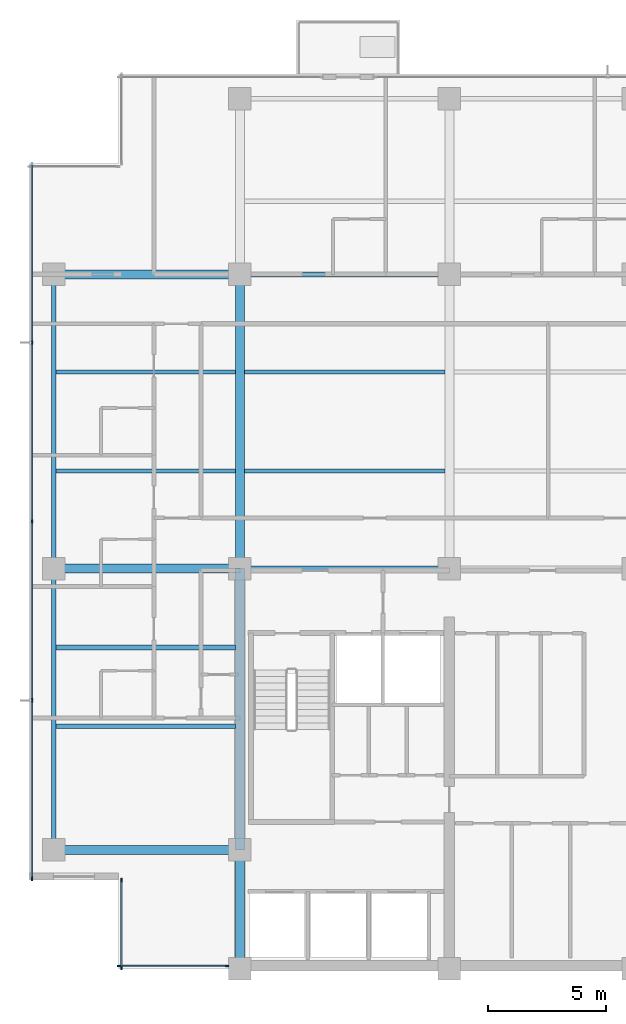
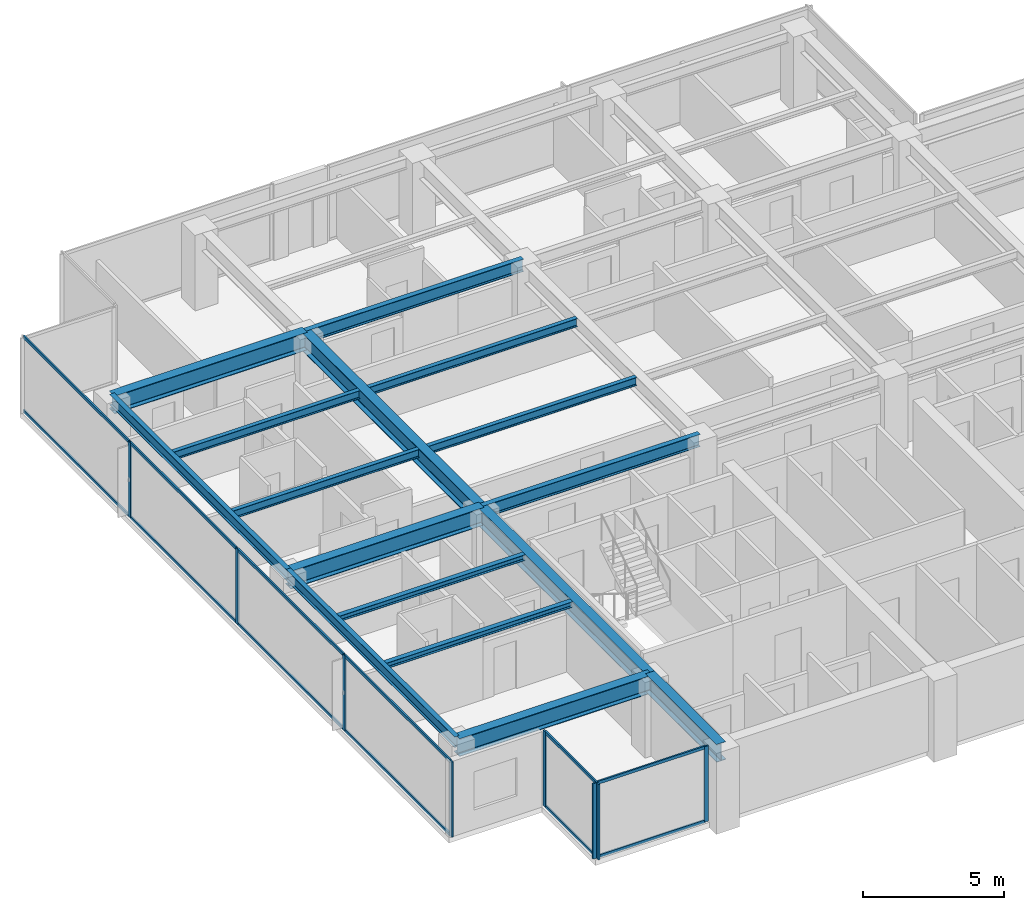
# One storey, part 2 of 14: 20 members, 16 beams, 3 elements without a shape of their own.
"""IFC4 building model written with IfcOpenShell, lengths in metres."""

from ifc_helpers import new_model, si_unit, direction, frame, origin, origin_2d, place, context, subcontext, project, spatial, rectangle, i_section, extrude, material, layer, layer_set, material_profile, profile_set, type_object, element, aggregate, save


model = new_model("IFC4")

# Units and contexts
model_context = context("Model", 3, precision=1e-05, world=origin(), true_north=direction((0.0, 1.0)))
body_context = subcontext(model_context, "Body", "Model", "MODEL_VIEW")
ifc_project = project(units=[si_unit("LENGTHUNIT", "METRE"), si_unit("AREAUNIT", "SQUARE_METRE"), si_unit("VOLUMEUNIT", "CUBIC_METRE"), si_unit("PLANEANGLEUNIT", "RADIAN"), si_unit("MASSUNIT", "GRAM", prefix="KILO")], contexts=[model_context])

# Site, building, storey
site_placement = place(None, origin())
site = spatial("IfcSite", under=ifc_project, at=site_placement, CompositionType="ELEMENT")
building_placement = place(site_placement, origin())
building = spatial("IfcBuilding", under=site, at=building_placement, Name="Qalmaran Belvedere Hotel", CompositionType="ELEMENT")
storey_placement = place(building_placement, frame((0.0, 0.0, 200.39990234375)))
storey = spatial("IfcBuildingStorey", under=building, at=storey_placement, Name="L50", CompositionType="ELEMENT", Elevation=200.39990234375)

# Beams
ifc_material_1 = material(Name="Steel S355JR", Category="steel")
ifc_material_profile_1 = material_profile(ifc_material_1, i_section(OverallWidth=0.201904296875, OverallDepth=0.2470703125, WebThickness=0.00732421875, FlangeThickness=0.010986328125, FilletRadius=0.011962890625, at=origin_2d()), Name="W250X49")
ifc_profile_set_1 = profile_set([ifc_material_profile_1], Name="Steel S355JR")
beam_type_1 = type_object("IfcBeamType", Name="BM-JST-W250X49", PredefinedType="JOIST", material=ifc_profile_set_1)
for number, where, z_axis, x_axis, name in (
    (1, (12.493896484375, 13.800048828125, 3.13671875), (1.0, 0.0, 0.0), (0.0, 1.0, 0.0), "L50 West Wing Joist 038"),
    (2, (12.493896484375, 17.14990234375, 3.13671875), (1.0, 0.0, 0.0), (0.0, 1.0, 0.0), "L50 West Wing Joist 040"),
):
    element("IfcBeam", number, at=place(storey_placement, frame(where, z_axis=z_axis, x_axis=x_axis)), inside=storey, type_object=beam_type_1, Name=name, PredefinedType="JOIST", context=body_context, shape_type="SweptSolid", body=[
        extrude(i_section(OverallWidth=0.201904296875, OverallDepth=0.2470703125, WebThickness=0.00732421875, FlangeThickness=0.010986328125, FilletRadius=0.011962890625, at=origin_2d()), origin(), (0.0, 0.0, 1.0), 7.61767578125),
    ])
ifc_material_profile_2 = material_profile(ifc_material_1, i_section(OverallWidth=0.381103515625, OverallDepth=0.77294921875, WebThickness=0.0166015625, FlangeThickness=0.027099609375, FilletRadius=0.02197265625, at=origin_2d()), Name="W760X257")
ifc_profile_set_2 = profile_set([ifc_material_profile_2], Name="Steel S355JR")
beam_type_2 = type_object("IfcBeamType", Name="BM-PG4-W760X257", PredefinedType="USERDEFINED", material=ifc_profile_set_2)
beam_1_placement = place(storey_placement, frame((20.300048828125, 20.5, 2.87353515625), z_axis=(0.0, 1.0, 0.0), x_axis=(-1.0, 0.0, 0.0)))
element("IfcBeam", 3, at=beam_1_placement, inside=storey, type_object=beam_type_2, Name="L50 Mid-Plate N-S Girder 14", ObjectType="GIRDER", PredefinedType="USERDEFINED", context=body_context, shape_type="SweptSolid", body=[
    extrude(i_section(OverallWidth=0.381103515625, OverallDepth=0.77294921875, WebThickness=0.0166015625, FlangeThickness=0.027099609375, FilletRadius=0.02197265625, at=origin_2d()), origin(), (0.0, 0.0, 1.0), 12.5),
])
for number, where, z_axis, x_axis, name in (
    (4, (12.39990234375, 8.550048828125, 2.87353515625), (1.0, 0.0, 0.0), (0.0, 1.0, 0.0), "L50 West Wing Girder 22"),
    (5, (12.39990234375, 20.5, 2.87353515625), (1.0, 0.0, 0.0), (0.0, 1.0, 0.0), "L50 West Wing Girder 23"),
    (6, (12.39990234375, 33.0, 2.87353515625), (1.0, 0.0, 0.0), (0.0, 1.0, 0.0), "L50 West Wing Girder 24"),
):
    element("IfcBeam", number, at=place(storey_placement, frame(where, z_axis=z_axis, x_axis=x_axis)), inside=storey, type_object=beam_type_2, Name=name, ObjectType="GIRDER", PredefinedType="USERDEFINED", context=body_context, shape_type="SweptSolid", body=[
        extrude(i_section(OverallWidth=0.381103515625, OverallDepth=0.77294921875, WebThickness=0.0166015625, FlangeThickness=0.027099609375, FilletRadius=0.02197265625, at=origin_2d()), origin(), (0.0, 0.0, 1.0), 7.900146484375),
    ])
beam_2_placement = place(storey_placement, frame((20.300048828125, 3.5, 2.87353515625), z_axis=(0.0, 1.0, 0.0), x_axis=(-1.0, 0.0, 0.0)))
element("IfcBeam", 7, at=beam_2_placement, inside=storey, type_object=beam_type_2, Name="L50 West Core Edge Girder A", ObjectType="GIRDER", PredefinedType="USERDEFINED", context=body_context, shape_type="SweptSolid", body=[
    extrude(i_section(OverallWidth=0.381103515625, OverallDepth=0.77294921875, WebThickness=0.0166015625, FlangeThickness=0.027099609375, FilletRadius=0.02197265625, at=origin_2d()), origin(), (0.0, 0.0, 1.0), 5.050048828125),
])
beam_3_placement = place(storey_placement, frame((20.300048828125, 8.550048828125, 2.87353515625), z_axis=(0.0, 1.0, 0.0), x_axis=(-1.0, 0.0, 0.0)))
element("IfcBeam", 8, at=beam_3_placement, inside=storey, type_object=beam_type_2, Name="L50 West Core Edge Girder B", ObjectType="GIRDER", PredefinedType="USERDEFINED", context=body_context, shape_type="SweptSolid", body=[
    extrude(i_section(OverallWidth=0.381103515625, OverallDepth=0.77294921875, WebThickness=0.0166015625, FlangeThickness=0.027099609375, FilletRadius=0.02197265625, at=origin_2d()), origin(), (0.0, 0.0, 1.0), 11.949951171875),
])
ifc_material_profile_3 = material_profile(ifc_material_1, i_section(OverallWidth=0.172119140625, OverallDepth=0.35791015625, WebThickness=0.0078125, FlangeThickness=0.01318359375, FilletRadius=0.014892578125, at=origin_2d()), Name="W360X57")
ifc_profile_set_3 = profile_set([ifc_material_profile_3], Name="Steel S355JR")
beam_type_3 = type_object("IfcBeamType", Name="BM-SB4-W360X57", PredefinedType="BEAM", material=ifc_profile_set_3)
beam_4_placement = place(storey_placement, frame((12.493896484375, 24.64990234375, 3.0810546875), z_axis=(1.0, 0.0, 0.0), x_axis=(0.0, 1.0, 0.0)))
element("IfcBeam", 9, at=beam_4_placement, inside=storey, type_object=beam_type_3, Name="L50 West Secondary Beam 028", PredefinedType="BEAM", context=body_context, shape_type="SweptSolid", body=[
    extrude(i_section(OverallWidth=0.172119140625, OverallDepth=0.35791015625, WebThickness=0.0078125, FlangeThickness=0.01318359375, FilletRadius=0.014892578125, at=origin_2d()), origin(), (0.0, 0.0, 1.0), 7.61767578125),
])
beam_5_placement = place(storey_placement, frame((20.488525390625, 24.64990234375, 3.0810546875), z_axis=(1.0, 0.0, 0.0), x_axis=(0.0, 1.0, 0.0)))
element("IfcBeam", 10, at=beam_5_placement, inside=storey, type_object=beam_type_3, Name="L50 Secondary Floor Beam 029", PredefinedType="BEAM", context=body_context, shape_type="SweptSolid", body=[
    extrude(i_section(OverallWidth=0.172119140625, OverallDepth=0.35791015625, WebThickness=0.0078125, FlangeThickness=0.01318359375, FilletRadius=0.014892578125, at=origin_2d()), origin(), (0.0, 0.0, 1.0), 8.52294921875),
])
beam_6_placement = place(storey_placement, frame((12.493896484375, 28.85009765625, 3.0810546875), z_axis=(1.0, 0.0, 0.0), x_axis=(0.0, 1.0, 0.0)))
element("IfcBeam", 11, at=beam_6_placement, inside=storey, type_object=beam_type_3, Name="L50 West Secondary Beam 033", PredefinedType="BEAM", context=body_context, shape_type="SweptSolid", body=[
    extrude(i_section(OverallWidth=0.172119140625, OverallDepth=0.35791015625, WebThickness=0.0078125, FlangeThickness=0.01318359375, FilletRadius=0.014892578125, at=origin_2d()), origin(), (0.0, 0.0, 1.0), 7.61767578125),
])
beam_7_placement = place(storey_placement, frame((20.488525390625, 28.85009765625, 3.0810546875), z_axis=(1.0, 0.0, 0.0), x_axis=(0.0, 1.0, 0.0)))
element("IfcBeam", 12, at=beam_7_placement, inside=storey, type_object=beam_type_3, Name="L50 Secondary Floor Beam 034", PredefinedType="BEAM", context=body_context, shape_type="SweptSolid", body=[
    extrude(i_section(OverallWidth=0.172119140625, OverallDepth=0.35791015625, WebThickness=0.0078125, FlangeThickness=0.01318359375, FilletRadius=0.014892578125, at=origin_2d()), origin(), (0.0, 0.0, 1.0), 8.52294921875),
])
ifc_material_profile_4 = material_profile(ifc_material_1, i_section(OverallWidth=0.19189453125, OverallDepth=0.462890625, WebThickness=0.010498046875, FlangeThickness=0.017578125, FilletRadius=0.01611328125, at=origin_2d()), Name="W460X89")
ifc_profile_set_4 = profile_set([ifc_material_profile_4], Name="Steel S355JR")
beam_type_4 = type_object("IfcBeamType", Name="BM-SP2-W460X89", PredefinedType="SPANDREL", material=ifc_profile_set_4)
beam_8_placement = place(storey_placement, frame((12.39990234375, 8.550048828125, 3.028564453125), z_axis=(0.0, 1.0, 0.0), x_axis=(-1.0, 0.0, 0.0)))
element("IfcBeam", 13, at=beam_8_placement, inside=storey, type_object=beam_type_4, Name="L50 Perimeter Spandrel 01", PredefinedType="SPANDREL", context=body_context, shape_type="SweptSolid", body=[
    extrude(i_section(OverallWidth=0.19189453125, OverallDepth=0.462890625, WebThickness=0.010498046875, FlangeThickness=0.017578125, FilletRadius=0.01611328125, at=origin_2d()), origin(), (0.0, 0.0, 1.0), 11.949951171875),
])
beam_9_placement = place(storey_placement, frame((12.39990234375, 20.5, 3.028564453125), z_axis=(0.0, 1.0, 0.0), x_axis=(-1.0, 0.0, 0.0)))
element("IfcBeam", 14, at=beam_9_placement, inside=storey, type_object=beam_type_4, Name="L50 Perimeter Spandrel 02", PredefinedType="SPANDREL", context=body_context, shape_type="SweptSolid", body=[
    extrude(i_section(OverallWidth=0.19189453125, OverallDepth=0.462890625, WebThickness=0.010498046875, FlangeThickness=0.017578125, FilletRadius=0.01611328125, at=origin_2d()), origin(), (0.0, 0.0, 1.0), 12.5),
])
ifc_material_profile_5 = material_profile(ifc_material_1, i_section(OverallWidth=0.2109375, OverallDepth=0.5390625, WebThickness=0.01171875, FlangeThickness=0.018798828125, FilletRadius=0.01806640625, at=origin_2d()), Name="W530X109")
ifc_profile_set_5 = profile_set([ifc_material_profile_5], Name="Steel S355JR")
beam_type_5 = type_object("IfcBeamType", Name="BM-Z4-W530X109", PredefinedType="USERDEFINED", material=ifc_profile_set_5)
for number, where, z_axis, x_axis, name in (
    (15, (20.300048828125, 20.5, 2.990478515625), (1.0, 0.0, 0.0), (0.0, 1.0, 0.0), "L50 Interior E-W Girder 08"),
    (16, (20.300048828125, 33.0, 2.990478515625), (1.0, 0.0, 0.0), (0.0, 1.0, 0.0), "L50 Interior E-W Girder 11"),
):
    element("IfcBeam", number, at=place(storey_placement, frame(where, z_axis=z_axis, x_axis=x_axis)), inside=storey, type_object=beam_type_5, Name=name, ObjectType="GIRDER", PredefinedType="USERDEFINED", context=body_context, shape_type="SweptSolid", body=[
        extrude(i_section(OverallWidth=0.2109375, OverallDepth=0.5390625, WebThickness=0.01171875, FlangeThickness=0.018798828125, FilletRadius=0.01806640625, at=origin_2d()), origin(), (0.0, 0.0, 1.0), 8.89990234375),
    ])

# Curtain wall, members
ifc_material_2 = material(Name="Anodised Bronze Aluminium", Category="aluminium")
ifc_layer = layer(ifc_material_2, 0.18994140625, Name="Anodised Bronze Aluminium")
ifc_layer_set = layer_set([ifc_layer], Name="Anodised Bronze Aluminium")
curtain_wall_type = type_object("IfcCurtainWallType", Name="CW5-TOWER-UPPER", PredefinedType="NOTDEFINED", material=ifc_layer_set)
curtain_wall_1_placement = place(storey_placement, origin())
curtain_wall_1 = element("IfcCurtainWall", 17, at=curtain_wall_1_placement, inside=storey, type_object=curtain_wall_type, Name="L50 Curtain Wall CW5", PredefinedType="NOTDEFINED")
ifc_material_profile_6 = material_profile(ifc_material_2, rectangle(XDim=0.06494140625, YDim=0.1650390625, at=origin_2d()), Name="CWM65X165")
ifc_profile_set_6 = profile_set([ifc_material_profile_6], Name="Anodised Bronze Aluminium")
member_type_1 = type_object("IfcMemberType", Name="CWM-65X165", PredefinedType="MULLION", material=ifc_profile_set_6)
member_1_placement = place(storey_placement, frame((15.1826171875, 3.6201171875, 0.0), z_axis=(0.0, 0.0, 1.0), x_axis=(0.0, 1.0, 0.0)))
member_1 = element("IfcMember", 18, at=member_1_placement, type_object=member_type_1, Name="CW5 mullion 1", PredefinedType="MULLION", context=body_context, shape_type="SweptSolid", body=[
    extrude(rectangle(XDim=0.06494140625, YDim=0.1650390625, at=origin_2d()), origin(), (0.0, 0.0, 1.0), 3.260009765625),
])
member_2_placement = place(storey_placement, frame((19.75244140625, 3.6201171875, 0.0), z_axis=(0.0, 0.0, 1.0), x_axis=(0.0, 1.0, 0.0)))
member_2 = element("IfcMember", 19, at=member_2_placement, type_object=member_type_1, Name="CW5 mullion 2", PredefinedType="MULLION", context=body_context, shape_type="SweptSolid", body=[
    extrude(rectangle(XDim=0.06494140625, YDim=0.1650390625, at=origin_2d()), origin(), (0.0, 0.0, 1.0), 3.260009765625),
])

curtain_wall_2_placement = place(storey_placement, origin())
curtain_wall_2 = element("IfcCurtainWall", 20, at=curtain_wall_2_placement, inside=storey, type_object=curtain_wall_type, Name="L50 Curtain Wall CW5", PredefinedType="NOTDEFINED")
member_3_placement = place(storey_placement, frame((11.469970703125, 30.10009765625, 0.0), z_axis=(0.0, 0.0, 1.0), x_axis=(1.0, 0.0, 0.0)))
member_3 = element("IfcMember", 21, at=member_3_placement, type_object=member_type_1, Name="CW5 mullion 2", PredefinedType="MULLION", context=body_context, shape_type="SweptSolid", body=[
    extrude(rectangle(XDim=0.06494140625, YDim=0.1650390625, at=origin_2d()), origin(), (0.0, 0.0, 1.0), 3.260009765625),
])
member_4_placement = place(storey_placement, frame((11.469970703125, 22.5, 0.0), z_axis=(0.0, 0.0, 1.0), x_axis=(1.0, 0.0, 0.0)))
member_4 = element("IfcMember", 22, at=member_4_placement, type_object=member_type_1, Name="CW5 mullion 3", PredefinedType="MULLION", context=body_context, shape_type="SweptSolid", body=[
    extrude(rectangle(XDim=0.06494140625, YDim=0.1650390625, at=origin_2d()), origin(), (0.0, 0.0, 1.0), 3.260009765625),
])
member_5_placement = place(storey_placement, frame((11.469970703125, 14.89990234375, 0.0), z_axis=(0.0, 0.0, 1.0), x_axis=(1.0, 0.0, 0.0)))
member_5 = element("IfcMember", 23, at=member_5_placement, type_object=member_type_1, Name="CW5 mullion 4", PredefinedType="MULLION", context=body_context, shape_type="SweptSolid", body=[
    extrude(rectangle(XDim=0.06494140625, YDim=0.1650390625, at=origin_2d()), origin(), (0.0, 0.0, 1.0), 3.260009765625),
])
member_6_placement = place(storey_placement, frame((11.469970703125, 7.33251953125, 0.0), z_axis=(0.0, 0.0, 1.0), x_axis=(1.0, 0.0, 0.0)))
member_6 = element("IfcMember", 24, at=member_6_placement, type_object=member_type_1, Name="CW5 mullion 5", PredefinedType="MULLION", context=body_context, shape_type="SweptSolid", body=[
    extrude(rectangle(XDim=0.06494140625, YDim=0.1650390625, at=origin_2d()), origin(), (0.0, 0.0, 1.0), 3.260009765625),
])

curtain_wall_3_placement = place(storey_placement, origin())
curtain_wall_3 = element("IfcCurtainWall", 25, at=curtain_wall_3_placement, inside=storey, type_object=curtain_wall_type, Name="L50 Curtain Wall CW5", PredefinedType="NOTDEFINED")
member_7_placement = place(storey_placement, frame((15.27001953125, 7.267578125, 0.0), z_axis=(0.0, 0.0, 1.0), x_axis=(1.0, 0.0, 0.0)))
member_7 = element("IfcMember", 26, at=member_7_placement, type_object=member_type_1, Name="CW5 mullion 1", PredefinedType="MULLION", context=body_context, shape_type="SweptSolid", body=[
    extrude(rectangle(XDim=0.06494140625, YDim=0.1650390625, at=origin_2d()), origin(), (0.0, 0.0, 1.0), 3.260009765625),
])
member_8_placement = place(storey_placement, frame((15.27001953125, 3.532470703125, 0.0), z_axis=(0.0, 0.0, 1.0), x_axis=(1.0, 0.0, 0.0)))
member_8 = element("IfcMember", 27, at=member_8_placement, type_object=member_type_1, Name="CW5 mullion 2", PredefinedType="MULLION", context=body_context, shape_type="SweptSolid", body=[
    extrude(rectangle(XDim=0.06494140625, YDim=0.1650390625, at=origin_2d()), origin(), (0.0, 0.0, 1.0), 3.260009765625),
])

# Member
ifc_material_profile_7 = material_profile(ifc_material_2, rectangle(XDim=0.06494140625, YDim=0.1298828125, at=origin_2d()), Name="CWT65X130")
ifc_profile_set_7 = profile_set([ifc_material_profile_7], Name="Anodised Bronze Aluminium")
member_type_2 = type_object("IfcMemberType", Name="CWT-65X130", PredefinedType="USERDEFINED", material=ifc_profile_set_7)
member_9_placement = place(storey_placement, frame((15.215087890625, 3.6201171875, 0.03271484375), z_axis=(1.0, 0.0, 0.0), x_axis=(0.0, 1.0, 0.0)))
member_9 = element("IfcMember", 28, at=member_9_placement, type_object=member_type_2, Name="CW5 transom 1.1", ObjectType="TRANSOM", PredefinedType="USERDEFINED", context=body_context, shape_type="SweptSolid", body=[
    extrude(rectangle(XDim=0.06494140625, YDim=0.1298828125, at=origin_2d()), origin(), (0.0, 0.0, 1.0), 4.5048828125),
])

member_10_placement = place(storey_placement, frame((15.215087890625, 3.6201171875, 3.2275390625), z_axis=(1.0, 0.0, 0.0), x_axis=(0.0, 1.0, 0.0)))
member_10 = element("IfcMember", 29, at=member_10_placement, type_object=member_type_2, Name="CW5 transom 1.2", ObjectType="TRANSOM", PredefinedType="USERDEFINED", context=body_context, shape_type="SweptSolid", body=[
    extrude(rectangle(XDim=0.06494140625, YDim=0.1298828125, at=origin_2d()), origin(), (0.0, 0.0, 1.0), 4.5048828125),
])

aggregate(curtain_wall_1, [member_1, member_2, member_9, member_10])

member_11_placement = place(storey_placement, frame((11.469970703125, 37.635009765625, 0.03271484375), z_axis=(0.0, -1.0, 0.0), x_axis=(1.0, 0.0, 0.0)))
member_11 = element("IfcMember", 30, at=member_11_placement, type_object=member_type_2, Name="CW5 transom 1.1", ObjectType="TRANSOM", PredefinedType="USERDEFINED", context=body_context, shape_type="SweptSolid", body=[
    extrude(rectangle(XDim=0.06494140625, YDim=0.1298828125, at=origin_2d()), origin(), (0.0, 0.0, 1.0), 7.50244140625),
])

member_12_placement = place(storey_placement, frame((11.469970703125, 37.635009765625, 3.2275390625), z_axis=(0.0, -1.0, 0.0), x_axis=(1.0, 0.0, 0.0)))
member_12 = element("IfcMember", 31, at=member_12_placement, type_object=member_type_2, Name="CW5 transom 1.2", ObjectType="TRANSOM", PredefinedType="USERDEFINED", context=body_context, shape_type="SweptSolid", body=[
    extrude(rectangle(XDim=0.06494140625, YDim=0.1298828125, at=origin_2d()), origin(), (0.0, 0.0, 1.0), 7.50244140625),
])

member_13_placement = place(storey_placement, frame((11.469970703125, 30.0673828125, 0.03271484375), z_axis=(0.0, -1.0, 0.0), x_axis=(1.0, 0.0, 0.0)))
member_13 = element("IfcMember", 32, at=member_13_placement, type_object=member_type_2, Name="CW5 transom 2.1", ObjectType="TRANSOM", PredefinedType="USERDEFINED", context=body_context, shape_type="SweptSolid", body=[
    extrude(rectangle(XDim=0.06494140625, YDim=0.1298828125, at=origin_2d()), origin(), (0.0, 0.0, 1.0), 7.534912109375),
])

member_14_placement = place(storey_placement, frame((11.469970703125, 30.0673828125, 3.2275390625), z_axis=(0.0, -1.0, 0.0), x_axis=(1.0, 0.0, 0.0)))
member_14 = element("IfcMember", 33, at=member_14_placement, type_object=member_type_2, Name="CW5 transom 2.2", ObjectType="TRANSOM", PredefinedType="USERDEFINED", context=body_context, shape_type="SweptSolid", body=[
    extrude(rectangle(XDim=0.06494140625, YDim=0.1298828125, at=origin_2d()), origin(), (0.0, 0.0, 1.0), 7.534912109375),
])

member_15_placement = place(storey_placement, frame((11.469970703125, 22.467529296875, 0.03271484375), z_axis=(0.0, -1.0, 0.0), x_axis=(1.0, 0.0, 0.0)))
member_15 = element("IfcMember", 34, at=member_15_placement, type_object=member_type_2, Name="CW5 transom 3.1", ObjectType="TRANSOM", PredefinedType="USERDEFINED", context=body_context, shape_type="SweptSolid", body=[
    extrude(rectangle(XDim=0.06494140625, YDim=0.1298828125, at=origin_2d()), origin(), (0.0, 0.0, 1.0), 7.534912109375),
])

member_16_placement = place(storey_placement, frame((11.469970703125, 22.467529296875, 3.2275390625), z_axis=(0.0, -1.0, 0.0), x_axis=(1.0, 0.0, 0.0)))
member_16 = element("IfcMember", 35, at=member_16_placement, type_object=member_type_2, Name="CW5 transom 3.2", ObjectType="TRANSOM", PredefinedType="USERDEFINED", context=body_context, shape_type="SweptSolid", body=[
    extrude(rectangle(XDim=0.06494140625, YDim=0.1298828125, at=origin_2d()), origin(), (0.0, 0.0, 1.0), 7.534912109375),
])

member_17_placement = place(storey_placement, frame((11.469970703125, 14.867431640625, 0.03271484375), z_axis=(0.0, -1.0, 0.0), x_axis=(1.0, 0.0, 0.0)))
member_17 = element("IfcMember", 36, at=member_17_placement, type_object=member_type_2, Name="CW5 transom 4.1", ObjectType="TRANSOM", PredefinedType="USERDEFINED", context=body_context, shape_type="SweptSolid", body=[
    extrude(rectangle(XDim=0.06494140625, YDim=0.1298828125, at=origin_2d()), origin(), (0.0, 0.0, 1.0), 7.50244140625),
])

member_18_placement = place(storey_placement, frame((11.469970703125, 14.867431640625, 3.2275390625), z_axis=(0.0, -1.0, 0.0), x_axis=(1.0, 0.0, 0.0)))
member_18 = element("IfcMember", 37, at=member_18_placement, type_object=member_type_2, Name="CW5 transom 4.2", ObjectType="TRANSOM", PredefinedType="USERDEFINED", context=body_context, shape_type="SweptSolid", body=[
    extrude(rectangle(XDim=0.06494140625, YDim=0.1298828125, at=origin_2d()), origin(), (0.0, 0.0, 1.0), 7.50244140625),
])

aggregate(curtain_wall_2, [member_3, member_4, member_5, member_6, member_11, member_12, member_13, member_14, member_15, member_16, member_17, member_18])

member_19_placement = place(storey_placement, frame((15.27001953125, 7.235107421875, 0.03271484375), z_axis=(0.0, -1.0, 0.0), x_axis=(1.0, 0.0, 0.0)))
member_19 = element("IfcMember", 38, at=member_19_placement, type_object=member_type_2, Name="CW5 transom 1.1", ObjectType="TRANSOM", PredefinedType="USERDEFINED", context=body_context, shape_type="SweptSolid", body=[
    extrude(rectangle(XDim=0.06494140625, YDim=0.1298828125, at=origin_2d()), origin(), (0.0, 0.0, 1.0), 3.670166015625),
])

member_20_placement = place(storey_placement, frame((15.27001953125, 7.235107421875, 3.2275390625), z_axis=(0.0, -1.0, 0.0), x_axis=(1.0, 0.0, 0.0)))
member_20 = element("IfcMember", 39, at=member_20_placement, type_object=member_type_2, Name="CW5 transom 1.2", ObjectType="TRANSOM", PredefinedType="USERDEFINED", context=body_context, shape_type="SweptSolid", body=[
    extrude(rectangle(XDim=0.06494140625, YDim=0.1298828125, at=origin_2d()), origin(), (0.0, 0.0, 1.0), 3.670166015625),
])

aggregate(curtain_wall_3, [member_7, member_8, member_19, member_20])

save(model, "model.ifc")
